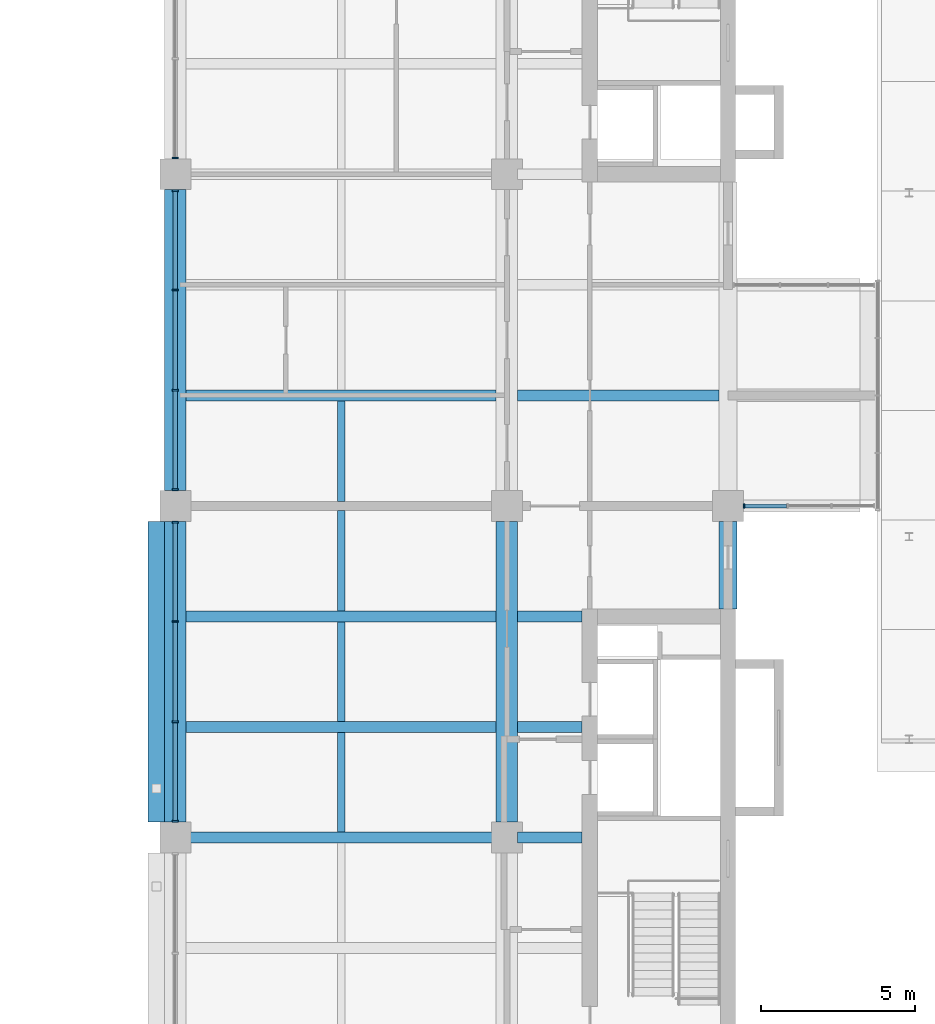
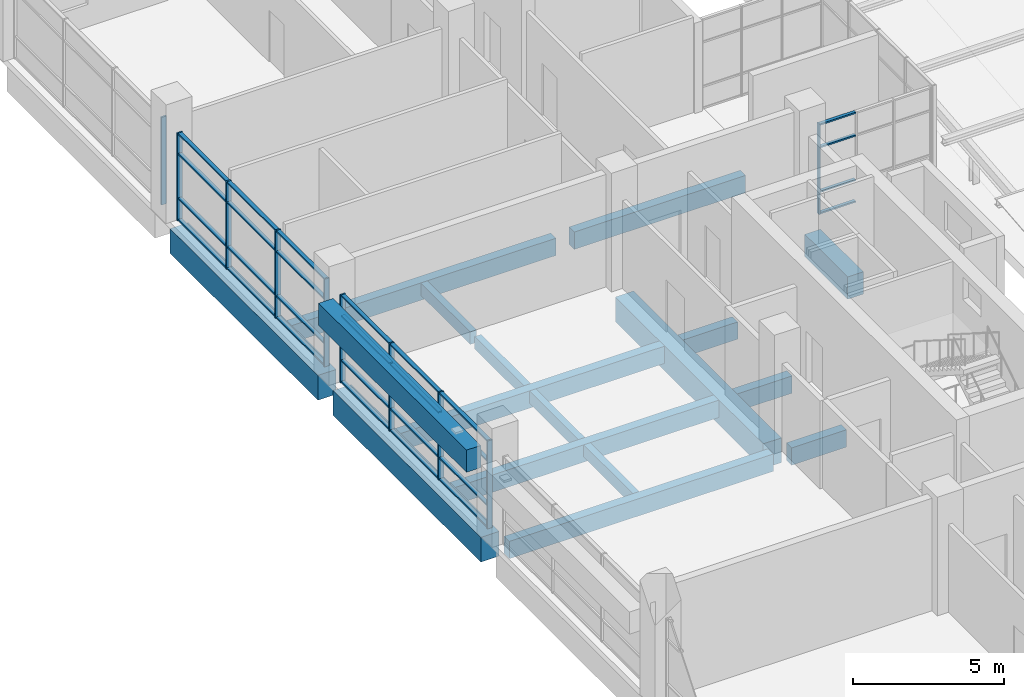
# One storey, part 11 of 44: 38 members, 17 beams, 4 elements without a shape of their own.
"""IFC4 building model written with IfcOpenShell, lengths in metres."""

import ifcopenshell
import ifcopenshell.guid

model = None  # the IFC model being written
_history = None  # IfcOwnerHistory: only IFC2X3 demands one
_inside = {}  # id of a spatial element -> (the spatial element, [elements in it])
_under = {}  # id of a project, library or spatial element -> (it, [spatial elements below it])
_declared = {}  # id of a project -> (the project, [libraries it declares])
_typed = {}  # id of a type object -> (the type object, [elements of that type])
_made_of = {}  # id of a material, layer set ... -> (it, [elements and type objects made of it])


def new_model(schema):
    """Start an empty IFC model of exactly this schema.

    Asked for "IFC4X3", IfcOpenShell would pick the latest addendum, in which some entities
    have other attributes; the version numbers below select the first issue.
    IFC2X3 requires an IfcOwnerHistory on every rooted entity: one is made here for all.
    """
    global model, _history
    if schema == "IFC4X3":
        model = ifcopenshell.file(schema_version=(4, 3, 0, 0))
    else:
        model = ifcopenshell.file(schema=schema)
    _inside.clear()
    _under.clear()
    _declared.clear()
    _typed.clear()
    _made_of.clear()
    _history = None
    if model.schema == "IFC2X3":
        org = make("IfcOrganization", Name="unknown")
        user = make(
            "IfcPersonAndOrganization",
            ThePerson=make("IfcPerson", FamilyName="unknown"),
            TheOrganization=org,
        )
        app = make(
            "IfcApplication",
            ApplicationDeveloper=org,
            Version="unknown",
            ApplicationFullName="unknown",
            ApplicationIdentifier="unknown",
        )
        _history = make(
            "IfcOwnerHistory",
            OwningUser=user,
            OwningApplication=app,
            ChangeAction="ADDED",
            CreationDate=0,
        )
    return model


def make(cls, **values):
    """One entity of the class cls with the attributes given. An attribute that is None is left unset."""
    return model.create_entity(
        cls, **{name: value for name, value in values.items() if value is not None}
    )


def rooted(cls, **values):
    """An entity with a GlobalId (a new one), such as an element, a storey or a relation."""
    return make(cls, GlobalId=ifcopenshell.guid.new(), OwnerHistory=_history, **values)


def si_unit(unit_type, name, prefix=None):
    """IfcSIUnit, for example si_unit("LENGTHUNIT", "METRE", prefix="MILLI")."""
    return make("IfcSIUnit", UnitType=unit_type, Prefix=prefix, Name=name)


def assignment(units):
    """IfcUnitAssignment: the units of a project."""
    return None if units is None else make("IfcUnitAssignment", Units=units)


def point(xyz):
    """IfcCartesianPoint."""
    return None if xyz is None else make("IfcCartesianPoint", Coordinates=xyz)


def direction(xyz):
    """IfcDirection."""
    return None if xyz is None else make("IfcDirection", DirectionRatios=xyz)


def frame(location, z_axis=None, x_axis=None):
    """IfcAxis2Placement3D, a coordinate frame: its origin and axes. An axis left out is left unset."""
    return make(
        "IfcAxis2Placement3D",
        Location=point(location),
        Axis=direction(z_axis),
        RefDirection=direction(x_axis),
    )


def frame_2d(location, x_axis=None):
    """IfcAxis2Placement2D, a coordinate frame in the plane: its origin and x axis."""
    return make(
        "IfcAxis2Placement2D", Location=point(location), RefDirection=direction(x_axis)
    )


def origin():
    """The frame at (0, 0, 0) with its axes left unset."""
    return frame((0.0, 0.0, 0.0))


def origin_2d():
    """The frame at (0, 0) in the plane with its x axis left unset."""
    return frame_2d((0.0, 0.0))


def place(relative_to, where):
    """IfcLocalPlacement: puts the frame where relative to a parent placement (None: the world)."""
    return make(
        "IfcLocalPlacement", PlacementRelTo=relative_to, RelativePlacement=where
    )


def context(
    kind, dimensions, precision=None, world=None, true_north=None, identifier=None
):
    """IfcGeometricRepresentationContext, for example the 3D "Model" context."""
    return make(
        "IfcGeometricRepresentationContext",
        ContextIdentifier=identifier,
        ContextType=kind,
        CoordinateSpaceDimension=dimensions,
        Precision=precision,
        WorldCoordinateSystem=world,
        TrueNorth=true_north,
    )


def subcontext(parent, identifier, kind, view, scale=None):
    """IfcGeometricRepresentationSubContext, for example "Body" below "Model"."""
    return make(
        "IfcGeometricRepresentationSubContext",
        ContextIdentifier=identifier,
        ContextType=kind,
        ParentContext=parent,
        TargetScale=scale,
        TargetView=view,
    )


def project(units=None, contexts=None):
    """IfcProject with its units and contexts."""
    return rooted(
        "IfcProject",
        Name="project",
        RepresentationContexts=contexts,
        UnitsInContext=assignment(units),
    )


def spatial(cls, under=None, at=None, **own):
    """A site, building, storey or space (cls), placed at a placement, below another one or the project."""
    s = rooted(cls, ObjectPlacement=at, **own)
    if under is not None:
        _under.setdefault(under.id(), (under, []))[1].append(s)
    return s


def profile(cls, at=None, kind="AREA", **sizes):
    """A parametric profile (cls). Its sizes go by their IFC names, for example OverallWidth=200.0."""
    return make(cls, ProfileType=kind, Position=at, **sizes)


def rectangle(**sizes):
    """IfcRectangleProfileDef."""
    return profile("IfcRectangleProfileDef", **sizes)


def extrude(swept, where, along, depth):
    """IfcExtrudedAreaSolid: the profile swept, set in the frame where, extruded along a direction by depth."""
    return make(
        "IfcExtrudedAreaSolid",
        SweptArea=swept,
        Position=where,
        ExtrudedDirection=direction(along),
        Depth=depth,
    )


def shape(context_of_items, identifier, shape_type, items):
    """IfcShapeRepresentation: the items that make up one representation, for example the "Body"."""
    return make(
        "IfcShapeRepresentation",
        ContextOfItems=context_of_items,
        RepresentationIdentifier=identifier,
        RepresentationType=shape_type,
        Items=items,
    )


def material(Name=None, Category=None):
    """IfcMaterial."""
    return make("IfcMaterial", Name=Name, Category=Category)


def layer(
    of_material, thickness, ventilated=None, Name=None, Category=None, Priority=None
):
    """IfcMaterialLayer: one layer of a wall or slab, of a material (None: an air gap)."""
    return make(
        "IfcMaterialLayer",
        Material=of_material,
        LayerThickness=thickness,
        IsVentilated=ventilated,
        Name=Name,
        Category=Category,
        Priority=Priority,
    )


def layer_set(layers, Name=None):
    """IfcMaterialLayerSet."""
    return make("IfcMaterialLayerSet", MaterialLayers=layers, LayerSetName=Name)


def material_profile(
    of_material, cross_section, Name=None, Category=None, Priority=None
):
    """IfcMaterialProfile: a cross section and its material."""
    return make(
        "IfcMaterialProfile",
        Name=Name,
        Material=of_material,
        Profile=cross_section,
        Priority=Priority,
        Category=Category,
    )


def profile_set(profiles, Name=None, composite=None):
    """IfcMaterialProfileSet."""
    return make(
        "IfcMaterialProfileSet",
        Name=Name,
        MaterialProfiles=profiles,
        CompositeProfile=composite,
    )


def made_of(thing, what):
    """Note that an element or type object is made of a material, layer set ...; save() writes the relation."""
    if what is not None:
        _made_of.setdefault(what.id(), (what, []))[1].append(thing)
    return thing


def type_object(cls, material=None, **own):
    """A type object (cls), such as IfcWallType, which elements share."""
    return made_of(rooted(cls, **own), material)


def element(
    cls,
    number,
    at=None,
    inside=None,
    cuts=None,
    type_object=None,
    material=None,
    context=None,
    identifier="Body",
    shape_type=None,
    held_by="IfcProductDefinitionShape",
    body=None,
    shapes=None,
    **own,
):
    """One element of the class cls, such as IfcWall. Its Tag is "e" and its number.

    at: its placement. inside: the storey or other place that contains it. cuts: it is an
    opening in that element (IfcRelVoidsElement). A single representation is given by context,
    identifier, shape_type and body (its items); several are given by shapes. held_by: the class
    of the entity that holds the representations. save() writes the other relations.
    """
    e = rooted(cls, Tag="e%d" % number, ObjectPlacement=at, **own)
    if body is not None:
        shapes = [shape(context, identifier, shape_type, body)]
    if shapes is not None:
        e.Representation = make(held_by, Representations=shapes)
    if inside is not None:
        _inside.setdefault(inside.id(), (inside, []))[1].append(e)
    if cuts is not None:
        rooted(
            "IfcRelVoidsElement", RelatingBuildingElement=cuts, RelatedOpeningElement=e
        )
    if type_object is not None:
        _typed.setdefault(type_object.id(), (type_object, []))[1].append(e)
    return made_of(e, material)


def aggregate(whole, parts):
    """IfcRelAggregates: a whole, such as a stair, and the parts it consists of."""
    return rooted("IfcRelAggregates", RelatingObject=whole, RelatedObjects=parts)


def save(model, path):
    """Write the relations noted so far, then the file.

    IfcRelAggregates (storeys below a building ...), IfcRelContainedInSpatialStructure (elements
    in a storey), IfcRelDefinesByType, IfcRelAssociatesMaterial and IfcRelDeclares: one each for
    every whole, place, type object, material and project.
    """
    for whole, parts in _under.values():
        aggregate(whole, parts)
    for where, things in _inside.values():
        rooted(
            "IfcRelContainedInSpatialStructure",
            RelatedElements=things,
            RelatingStructure=where,
        )
    for kind, things in _typed.values():
        rooted("IfcRelDefinesByType", RelatedObjects=things, RelatingType=kind)
    for what, things in _made_of.values():
        rooted("IfcRelAssociatesMaterial", RelatedObjects=things, RelatingMaterial=what)
    for by, libraries in _declared.values():
        rooted("IfcRelDeclares", RelatingContext=by, RelatedDefinitions=libraries)
    model.write(path)


model = new_model("IFC4")

# Units and contexts
model_context = context("Model", 3, precision=1e-05, world=origin(), true_north=direction((0.0, 1.0)))
body_context = subcontext(model_context, "Body", "Model", "MODEL_VIEW")
ifc_project = project(units=[si_unit("LENGTHUNIT", "METRE"), si_unit("AREAUNIT", "SQUARE_METRE"), si_unit("VOLUMEUNIT", "CUBIC_METRE"), si_unit("PLANEANGLEUNIT", "RADIAN"), si_unit("MASSUNIT", "GRAM", prefix="KILO")], contexts=[model_context])

# Site, building, storey
site_placement = place(None, origin())
site = spatial("IfcSite", under=ifc_project, at=site_placement, CompositionType="ELEMENT")
building_placement = place(site_placement, origin())
building = spatial("IfcBuilding", under=site, at=building_placement, Name="Basin Gate Institute", CompositionType="ELEMENT")
storey_placement = place(building_placement, frame((0.0, 0.0, 27.0)))
storey = spatial("IfcBuildingStorey", under=building, at=storey_placement, Name="L05", CompositionType="ELEMENT", Elevation=27.0)

# Beams
ifc_material_1 = material(Name="Concrete 40 MPa", Category="concrete")
ifc_material_profile_1 = material_profile(ifc_material_1, rectangle(XDim=0.35009765625, YDim=0.699951171875, at=origin_2d()), Name="Beam B1 350 x 700")
ifc_profile_set_1 = profile_set([ifc_material_profile_1], Name="Concrete 40 MPa")
beam_type_1 = type_object("IfcBeamType", Name="Beam B1 R120", PredefinedType="BEAM", material=ifc_profile_set_1)
beam_1_placement = place(storey_placement, frame((111.25, 67.5, -0.60009765625), z_axis=(-1.0, 0.0, 0.0), x_axis=(0.0, -1.0, 0.0)))
element("IfcBeam", 1, at=beam_1_placement, inside=storey, type_object=beam_type_1, material=ifc_profile_set_1, Name="BEAM/L05/E/EW/10", PredefinedType="BEAM", context=body_context, shape_type="SweptSolid", body=[
    extrude(rectangle(XDim=0.35009765625, YDim=0.699951171875, at=origin_2d()), origin(), (0.0, 0.0, 1.0), 10.10009765625),
])
beam_2_placement = place(storey_placement, frame((114.050048828125, 67.5, -0.60009765625), z_axis=(-1.0, 0.0, 0.0), x_axis=(0.0, -1.0, 0.0)))
element("IfcBeam", 2, at=beam_2_placement, inside=storey, type_object=beam_type_1, material=ifc_profile_set_1, Name="BEAM/L05/E/CORR/10", PredefinedType="BEAM", context=body_context, shape_type="SweptSolid", body=[
    extrude(rectangle(XDim=0.35009765625, YDim=0.699951171875, at=origin_2d()), origin(), (0.0, 0.0, 1.0), 2.10009765625),
])
beam_3_placement = place(storey_placement, frame((111.25, 71.10009765625, -0.60009765625), z_axis=(-1.0, 0.0, 0.0), x_axis=(0.0, -1.0, 0.0)))
element("IfcBeam", 3, at=beam_3_placement, inside=storey, type_object=beam_type_1, material=ifc_profile_set_1, Name="BEAM/L05/E/EW/11", PredefinedType="BEAM", context=body_context, shape_type="SweptSolid", body=[
    extrude(rectangle(XDim=0.35009765625, YDim=0.699951171875, at=origin_2d()), origin(), (0.0, 0.0, 1.0), 10.10009765625),
])
beam_4_placement = place(storey_placement, frame((114.050048828125, 71.10009765625, -0.60009765625), z_axis=(-1.0, 0.0, 0.0), x_axis=(0.0, -1.0, 0.0)))
element("IfcBeam", 4, at=beam_4_placement, inside=storey, type_object=beam_type_1, material=ifc_profile_set_1, Name="BEAM/L05/E/CORR/11", PredefinedType="BEAM", context=body_context, shape_type="SweptSolid", body=[
    extrude(rectangle(XDim=0.35009765625, YDim=0.699951171875, at=origin_2d()), origin(), (0.0, 0.0, 1.0), 2.10009765625),
])
beam_5_placement = place(storey_placement, frame((111.25, 74.699951171875, -0.60009765625), z_axis=(-1.0, 0.0, 0.0), x_axis=(0.0, -1.0, 0.0)))
element("IfcBeam", 5, at=beam_5_placement, inside=storey, type_object=beam_type_1, material=ifc_profile_set_1, Name="BEAM/L05/E/EW/12", PredefinedType="BEAM", context=body_context, shape_type="SweptSolid", body=[
    extrude(rectangle(XDim=0.35009765625, YDim=0.699951171875, at=origin_2d()), origin(), (0.0, 0.0, 1.0), 10.10009765625),
])
beam_6_placement = place(storey_placement, frame((114.050048828125, 74.699951171875, -0.60009765625), z_axis=(-1.0, 0.0, 0.0), x_axis=(0.0, -1.0, 0.0)))
element("IfcBeam", 6, at=beam_6_placement, inside=storey, type_object=beam_type_1, material=ifc_profile_set_1, Name="BEAM/L05/E/CORR/12", PredefinedType="BEAM", context=body_context, shape_type="SweptSolid", body=[
    extrude(rectangle(XDim=0.35009765625, YDim=0.699951171875, at=origin_2d()), origin(), (0.0, 0.0, 1.0), 2.10009765625),
])
beam_7_placement = place(storey_placement, frame((111.25, 81.89990234375, -0.60009765625), z_axis=(-1.0, 0.0, 0.0), x_axis=(0.0, -1.0, 0.0)))
element("IfcBeam", 7, at=beam_7_placement, inside=storey, type_object=beam_type_1, material=ifc_profile_set_1, Name="BEAM/L05/E/EW/14", PredefinedType="BEAM", context=body_context, shape_type="SweptSolid", body=[
    extrude(rectangle(XDim=0.35009765625, YDim=0.699951171875, at=origin_2d()), origin(), (0.0, 0.0, 1.0), 10.10009765625),
])
beam_8_placement = place(storey_placement, frame((118.5, 81.89990234375, -0.60009765625), z_axis=(-1.0, 0.0, 0.0), x_axis=(0.0, -1.0, 0.0)))
element("IfcBeam", 8, at=beam_8_placement, inside=storey, type_object=beam_type_1, material=ifc_profile_set_1, Name="BEAM/L05/E/OUT/14", PredefinedType="BEAM", context=body_context, shape_type="SweptSolid", body=[
    extrude(rectangle(XDim=0.35009765625, YDim=0.699951171875, at=origin_2d()), origin(), (0.0, 0.0, 1.0), 6.550048828125),
])
ifc_material_2 = material(Name="Concrete 50 MPa", Category="concrete")
ifc_material_profile_2 = material_profile(ifc_material_2, rectangle(XDim=0.550048828125, YDim=0.89990234375, at=origin_2d()), Name="Bridge bearing B5 550 x 900")
ifc_profile_set_2 = profile_set([ifc_material_profile_2], Name="Concrete 50 MPa")
beam_type_2 = type_object("IfcBeamType", Name="Bridge bearing B5 R120", PredefinedType="BEAM", material=ifc_profile_set_2)
beam_9_placement = place(storey_placement, frame((100.175048828125, 68.0, 3.02197265625), z_axis=(0.0, 1.0, 0.0), x_axis=(-1.0, 0.0, 0.0)))
element("IfcBeam", 9, at=beam_9_placement, inside=storey, type_object=beam_type_2, material=ifc_profile_set_2, Name="Bridge bearing R120 L06 E2", PredefinedType="BEAM", context=body_context, shape_type="SweptSolid", body=[
    extrude(rectangle(XDim=0.550048828125, YDim=0.89990234375, at=origin_2d()), origin(), (0.0, 0.0, 1.0), 9.800048828125),
])
ifc_material_3 = material(Name="Concrete 50 MPa", Category="concrete")
ifc_material_profile_3 = material_profile(ifc_material_3, rectangle(XDim=0.60009765625, YDim=0.89990234375, at=origin_2d()), Name="Edge return beam EB3 600 x 900")
ifc_profile_set_3 = profile_set([ifc_material_profile_3], Name="Concrete 50 MPa")
beam_type_3 = type_object("IfcBeamType", Name="Edge return beam EB3 R120", PredefinedType="SPANDREL", material=ifc_profile_set_3)
beam_10_placement = place(storey_placement, frame((118.800048828125, 74.949951171875, -0.699951171875), z_axis=(0.0, 1.0, 0.0), x_axis=(-1.0, 0.0, 0.0)))
element("IfcBeam", 10, at=beam_10_placement, inside=storey, type_object=beam_type_3, material=ifc_profile_set_3, Name="BEAM/L05/E/EDGE/3", PredefinedType="SPANDREL", context=body_context, shape_type="SweptSolid", body=[
    extrude(rectangle(XDim=0.60009765625, YDim=0.89990234375, at=origin_2d()), origin(), (0.0, 0.0, 1.0), 2.85009765625),
])
ifc_material_4 = material(Name="Concrete 50 MPa", Category="concrete")
ifc_material_profile_4 = material_profile(ifc_material_4, rectangle(XDim=0.699951171875, YDim=1.0, at=origin_2d()), Name="Girder G1 700 x 1000")
ifc_profile_set_4 = profile_set([ifc_material_profile_4], Name="Concrete 50 MPa")
beam_type_4 = type_object("IfcBeamType", Name="Girder G1 R120", PredefinedType="BEAM", material=ifc_profile_set_4)
for number, where, z_axis, x_axis, name in (
    (11, (111.60009765625, 68.0, -0.75), (0.0, 1.0, 0.0), (-1.0, 0.0, 0.0), "GIR/L05/E8/4"),
    (12, (100.800048828125, 68.0, -0.75), (0.0, 1.0, 0.0), (-1.0, 0.0, 0.0), "GIR/L05/E7/4"),
    (13, (100.800048828125, 78.800048828125, -0.75), (0.0, 1.0, 0.0), (-1.0, 0.0, 0.0), "GIR/L05/E7/5"),
):
    element("IfcBeam", number, at=place(storey_placement, frame(where, z_axis=z_axis, x_axis=x_axis)), inside=storey, type_object=beam_type_4, material=ifc_profile_set_4, Name=name, PredefinedType="BEAM", context=body_context, shape_type="SweptSolid", body=[
        extrude(rectangle(XDim=0.699951171875, YDim=1.0, at=origin_2d()), origin(), (0.0, 0.0, 1.0), 9.800048828125),
    ])

# Curtain wall, member
ifc_material_5 = material(Name="Aluminium-framed glazing", Category="aluminium")
ifc_layer_1 = layer(ifc_material_5, 0.14990234375)
ifc_layer_set_1 = layer_set([ifc_layer_1], Name="Capsule front curtain wall CW1")
curtain_wall_type_1 = type_object("IfcCurtainWallType", Name="Capsule front curtain wall CW1", PredefinedType="NOTDEFINED", material=ifc_layer_set_1)
curtain_wall_1_placement = place(storey_placement, origin())
curtain_wall_1 = element("IfcCurtainWall", 14, at=curtain_wall_1_placement, inside=storey, type_object=curtain_wall_type_1, material=ifc_layer_set_1, Name="Capsule front curtain wall E wing capsule end L05 line 13", PredefinedType="NOTDEFINED")
ifc_material_6 = material(Name="Aluminium", Category="aluminium")
ifc_material_profile_5 = material_profile(ifc_material_6, rectangle(XDim=0.14990234375, YDim=0.050048828125, at=origin_2d()), Name="Mullion MU1 150 x 50")
ifc_profile_set_5 = profile_set([ifc_material_profile_5], Name="Aluminium")
member_type_1 = type_object("IfcMemberType", Name="Mullion MU1", PredefinedType="MULLION", material=ifc_profile_set_5)
member_1_placement = place(storey_placement, frame((119.324951171875, 78.300048828125, 0.0), z_axis=(0.0, 0.0, 1.0), x_axis=(0.0, -1.0, 0.0)))
member_1 = element("IfcMember", 15, at=member_1_placement, type_object=member_type_1, material=ifc_profile_set_5, Name="CW1 mullion 4", PredefinedType="MULLION", context=body_context, shape_type="SweptSolid", body=[
    extrude(rectangle(XDim=0.14990234375, YDim=0.050048828125, at=origin_2d()), origin(), (0.0, 0.0, 1.0), 3.64990234375),
])

# Curtain wall, members
ifc_material_7 = material(Name="Aluminium-framed glazing", Category="aluminium")
ifc_layer_2 = layer(ifc_material_7, 0.199951171875)
ifc_layer_set_2 = layer_set([ifc_layer_2], Name="Atrium curtain wall CW2")
curtain_wall_type_2 = type_object("IfcCurtainWallType", Name="Atrium curtain wall CW2", PredefinedType="NOTDEFINED", material=ifc_layer_set_2)
curtain_wall_2_placement = place(storey_placement, origin())
curtain_wall_2 = element("IfcCurtainWall", 16, at=curtain_wall_2_placement, inside=storey, type_object=curtain_wall_type_2, material=ifc_layer_set_2, Name="Atrium curtain wall E wing atrium bay 4 L05", PredefinedType="NOTDEFINED")
ifc_material_8 = material(Name="Aluminium", Category="aluminium")
ifc_material_profile_6 = material_profile(ifc_material_8, rectangle(XDim=0.199951171875, YDim=0.06005859375, at=origin_2d()), Name="Mullion MU2 200 x 60")
ifc_profile_set_6 = profile_set([ifc_material_profile_6], Name="Aluminium")
member_type_2 = type_object("IfcMemberType", Name="Mullion MU2", PredefinedType="MULLION", material=ifc_profile_set_6)
member_2_placement = place(storey_placement, frame((100.800048828125, 68.030029296875, 0.0), z_axis=(0.0, 0.0, 1.0), x_axis=(-1.0, 0.0, 0.0)))
member_2 = element("IfcMember", 17, at=member_2_placement, type_object=member_type_2, material=ifc_profile_set_6, Name="CW2 mullion 1", PredefinedType="MULLION", context=body_context, shape_type="SweptSolid", body=[
    extrude(rectangle(XDim=0.199951171875, YDim=0.06005859375, at=origin_2d()), origin(), (0.0, 0.0, 1.0), 3.550048828125),
])
member_3_placement = place(storey_placement, frame((100.800048828125, 71.2666015625, 0.0), z_axis=(0.0, 0.0, 1.0), x_axis=(-1.0, 0.0, 0.0)))
member_3 = element("IfcMember", 18, at=member_3_placement, type_object=member_type_2, material=ifc_profile_set_6, Name="CW2 mullion 2", PredefinedType="MULLION", context=body_context, shape_type="SweptSolid", body=[
    extrude(rectangle(XDim=0.199951171875, YDim=0.06005859375, at=origin_2d()), origin(), (0.0, 0.0, 1.0), 3.550048828125),
])
member_4_placement = place(storey_placement, frame((100.800048828125, 74.533447265625, 0.0), z_axis=(0.0, 0.0, 1.0), x_axis=(-1.0, 0.0, 0.0)))
member_4 = element("IfcMember", 19, at=member_4_placement, type_object=member_type_2, material=ifc_profile_set_6, Name="CW2 mullion 3", PredefinedType="MULLION", context=body_context, shape_type="SweptSolid", body=[
    extrude(rectangle(XDim=0.199951171875, YDim=0.06005859375, at=origin_2d()), origin(), (0.0, 0.0, 1.0), 3.550048828125),
])
member_5_placement = place(storey_placement, frame((100.800048828125, 77.77001953125, 0.0), z_axis=(0.0, 0.0, 1.0), x_axis=(-1.0, 0.0, 0.0)))
member_5 = element("IfcMember", 20, at=member_5_placement, type_object=member_type_2, material=ifc_profile_set_6, Name="CW2 mullion 4", PredefinedType="MULLION", context=body_context, shape_type="SweptSolid", body=[
    extrude(rectangle(XDim=0.199951171875, YDim=0.06005859375, at=origin_2d()), origin(), (0.0, 0.0, 1.0), 3.550048828125),
])

curtain_wall_3_placement = place(storey_placement, origin())
curtain_wall_3 = element("IfcCurtainWall", 21, at=curtain_wall_3_placement, inside=storey, type_object=curtain_wall_type_2, material=ifc_layer_set_2, Name="Atrium curtain wall E wing atrium bay 5 L05", PredefinedType="NOTDEFINED")
member_6_placement = place(storey_placement, frame((100.800048828125, 78.830078125, 0.0), z_axis=(0.0, 0.0, 1.0), x_axis=(-1.0, 0.0, 0.0)))
member_6 = element("IfcMember", 22, at=member_6_placement, type_object=member_type_2, material=ifc_profile_set_6, Name="CW2 mullion 1", PredefinedType="MULLION", context=body_context, shape_type="SweptSolid", body=[
    extrude(rectangle(XDim=0.199951171875, YDim=0.06005859375, at=origin_2d()), origin(), (0.0, 0.0, 1.0), 3.550048828125),
])
member_7_placement = place(storey_placement, frame((100.800048828125, 82.066650390625, 0.0), z_axis=(0.0, 0.0, 1.0), x_axis=(-1.0, 0.0, 0.0)))
member_7 = element("IfcMember", 23, at=member_7_placement, type_object=member_type_2, material=ifc_profile_set_6, Name="CW2 mullion 2", PredefinedType="MULLION", context=body_context, shape_type="SweptSolid", body=[
    extrude(rectangle(XDim=0.199951171875, YDim=0.06005859375, at=origin_2d()), origin(), (0.0, 0.0, 1.0), 3.550048828125),
])
member_8_placement = place(storey_placement, frame((100.800048828125, 85.333251953125, 0.0), z_axis=(0.0, 0.0, 1.0), x_axis=(-1.0, 0.0, 0.0)))
member_8 = element("IfcMember", 24, at=member_8_placement, type_object=member_type_2, material=ifc_profile_set_6, Name="CW2 mullion 3", PredefinedType="MULLION", context=body_context, shape_type="SweptSolid", body=[
    extrude(rectangle(XDim=0.199951171875, YDim=0.06005859375, at=origin_2d()), origin(), (0.0, 0.0, 1.0), 3.550048828125),
])
member_9_placement = place(storey_placement, frame((100.800048828125, 88.570068359375, 0.0), z_axis=(0.0, 0.0, 1.0), x_axis=(-1.0, 0.0, 0.0)))
member_9 = element("IfcMember", 25, at=member_9_placement, type_object=member_type_2, material=ifc_profile_set_6, Name="CW2 mullion 4", PredefinedType="MULLION", context=body_context, shape_type="SweptSolid", body=[
    extrude(rectangle(XDim=0.199951171875, YDim=0.06005859375, at=origin_2d()), origin(), (0.0, 0.0, 1.0), 3.550048828125),
])

# Curtain wall, member
curtain_wall_4_placement = place(storey_placement, origin())
curtain_wall_4 = element("IfcCurtainWall", 26, at=curtain_wall_4_placement, inside=storey, type_object=curtain_wall_type_2, material=ifc_layer_set_2, Name="Atrium curtain wall E wing atrium bay 6 L05", PredefinedType="NOTDEFINED")
member_10_placement = place(storey_placement, frame((100.800048828125, 89.6298828125, 0.0), z_axis=(0.0, 0.0, 1.0), x_axis=(-1.0, 0.0, 0.0)))
member_10 = element("IfcMember", 27, at=member_10_placement, type_object=member_type_2, material=ifc_profile_set_6, Name="CW2 mullion 1", PredefinedType="MULLION", context=body_context, shape_type="SweptSolid", body=[
    extrude(rectangle(XDim=0.199951171875, YDim=0.06005859375, at=origin_2d()), origin(), (0.0, 0.0, 1.0), 3.550048828125),
])
aggregate(curtain_wall_4, [member_10])

# Beams
ifc_material_9 = material(Name="Concrete 40 MPa", Category="concrete")
ifc_material_profile_7 = material_profile(ifc_material_9, rectangle(XDim=0.25, YDim=0.5, at=origin_2d()), Name="Rib R1 250 x 500")
ifc_profile_set_7 = profile_set([ifc_material_profile_7], Name="Concrete 40 MPa")
beam_type_5 = type_object("IfcBeamType", Name="Rib R1 R120", PredefinedType="JOIST", material=ifc_profile_set_7)
for number, where, z_axis, x_axis, name in (
    (28, (106.199951171875, 67.675048828125, -0.5), (0.0, 1.0, 0.0), (-1.0, 0.0, 0.0), "BEAM/L05/E/RIB/10"),
    (29, (106.199951171875, 71.27490234375, -0.5), (0.0, 1.0, 0.0), (-1.0, 0.0, 0.0), "BEAM/L05/E/RIB/11"),
):
    element("IfcBeam", number, at=place(storey_placement, frame(where, z_axis=z_axis, x_axis=x_axis)), inside=storey, type_object=beam_type_5, material=ifc_profile_set_7, Name=name, PredefinedType="JOIST", context=body_context, shape_type="SweptSolid", body=[
        extrude(rectangle(XDim=0.25, YDim=0.5, at=origin_2d()), origin(), (0.0, 0.0, 1.0), 3.25),
    ])
beam_11_placement = place(storey_placement, frame((106.199951171875, 74.875, -0.5), z_axis=(0.0, 1.0, 0.0), x_axis=(-1.0, 0.0, 0.0)))
element("IfcBeam", 30, at=beam_11_placement, inside=storey, type_object=beam_type_5, material=ifc_profile_set_7, Name="BEAM/L05/E/RIB/12", PredefinedType="JOIST", context=body_context, shape_type="SweptSolid", body=[
    extrude(rectangle(XDim=0.25, YDim=0.5, at=origin_2d()), origin(), (0.0, 0.0, 1.0), 3.27490234375),
])
beam_12_placement = place(storey_placement, frame((106.199951171875, 78.449951171875, -0.5), z_axis=(0.0, 1.0, 0.0), x_axis=(-1.0, 0.0, 0.0)))
element("IfcBeam", 31, at=beam_12_placement, inside=storey, type_object=beam_type_5, material=ifc_profile_set_7, Name="BEAM/L05/E/RIB/13", PredefinedType="JOIST", context=body_context, shape_type="SweptSolid", body=[
    extrude(rectangle(XDim=0.25, YDim=0.5, at=origin_2d()), origin(), (0.0, 0.0, 1.0), 3.275146484375),
])

# Member
ifc_material_10 = material(Name="Aluminium", Category="aluminium")
ifc_material_profile_8 = material_profile(ifc_material_10, rectangle(XDim=0.1201171875, YDim=0.06005859375, at=origin_2d()), Name="Transom TR1 120 x 60")
ifc_profile_set_8 = profile_set([ifc_material_profile_8], Name="Aluminium")
member_type_3 = type_object("IfcMemberType", Name="Transom TR1", PredefinedType="USERDEFINED", material=ifc_profile_set_8)
member_11_placement = place(storey_placement, frame((120.708251953125, 78.300048828125, 0.030029296875), z_axis=(-1.0, 0.0, 0.0), x_axis=(0.0, -1.0, 0.0)))
member_11 = element("IfcMember", 32, at=member_11_placement, type_object=member_type_3, material=ifc_profile_set_8, Name="CW1 transom 3.1", ObjectType="TRANSOM", PredefinedType="USERDEFINED", context=body_context, shape_type="SweptSolid", body=[
    extrude(rectangle(XDim=0.1201171875, YDim=0.06005859375, at=origin_2d()), origin(), (0.0, 0.0, 1.0), 1.358154296875),
])

member_12_placement = place(storey_placement, frame((120.708251953125, 78.300048828125, 0.89990234375), z_axis=(-1.0, 0.0, 0.0), x_axis=(0.0, -1.0, 0.0)))
member_12 = element("IfcMember", 33, at=member_12_placement, type_object=member_type_3, material=ifc_profile_set_8, Name="CW1 transom 3.2", ObjectType="TRANSOM", PredefinedType="USERDEFINED", context=body_context, shape_type="SweptSolid", body=[
    extrude(rectangle(XDim=0.1201171875, YDim=0.06005859375, at=origin_2d()), origin(), (0.0, 0.0, 1.0), 1.358154296875),
])

member_13_placement = place(storey_placement, frame((120.708251953125, 78.300048828125, 2.699951171875), z_axis=(-1.0, 0.0, 0.0), x_axis=(0.0, -1.0, 0.0)))
member_13 = element("IfcMember", 34, at=member_13_placement, type_object=member_type_3, material=ifc_profile_set_8, Name="CW1 transom 3.3", ObjectType="TRANSOM", PredefinedType="USERDEFINED", context=body_context, shape_type="SweptSolid", body=[
    extrude(rectangle(XDim=0.1201171875, YDim=0.06005859375, at=origin_2d()), origin(), (0.0, 0.0, 1.0), 1.358154296875),
])

member_14_placement = place(storey_placement, frame((120.708251953125, 78.300048828125, 3.6201171875), z_axis=(-1.0, 0.0, 0.0), x_axis=(0.0, -1.0, 0.0)))
member_14 = element("IfcMember", 35, at=member_14_placement, type_object=member_type_3, material=ifc_profile_set_8, Name="CW1 transom 3.4", ObjectType="TRANSOM", PredefinedType="USERDEFINED", context=body_context, shape_type="SweptSolid", body=[
    extrude(rectangle(XDim=0.1201171875, YDim=0.06005859375, at=origin_2d()), origin(), (0.0, 0.0, 1.0), 1.358154296875),
])

aggregate(curtain_wall_1, [member_1, member_11, member_12, member_13, member_14])

ifc_material_11 = material(Name="Aluminium", Category="aluminium")
ifc_material_profile_9 = material_profile(ifc_material_11, rectangle(XDim=0.14990234375, YDim=0.06005859375, at=origin_2d()), Name="Transom TR2 150 x 60")
ifc_profile_set_9 = profile_set([ifc_material_profile_9], Name="Aluminium")
member_type_4 = type_object("IfcMemberType", Name="Transom TR2", PredefinedType="USERDEFINED", material=ifc_profile_set_9)
member_15_placement = place(storey_placement, frame((100.800048828125, 68.06005859375, 0.030029296875), z_axis=(0.0, 1.0, 0.0), x_axis=(-1.0, 0.0, 0.0)))
member_15 = element("IfcMember", 36, at=member_15_placement, type_object=member_type_4, material=ifc_profile_set_9, Name="CW2 transom 1.1", ObjectType="TRANSOM", PredefinedType="USERDEFINED", context=body_context, shape_type="SweptSolid", body=[
    extrude(rectangle(XDim=0.14990234375, YDim=0.06005859375, at=origin_2d()), origin(), (0.0, 0.0, 1.0), 3.176513671875),
])

member_16_placement = place(storey_placement, frame((100.800048828125, 68.06005859375, 0.89990234375), z_axis=(0.0, 1.0, 0.0), x_axis=(-1.0, 0.0, 0.0)))
member_16 = element("IfcMember", 37, at=member_16_placement, type_object=member_type_4, material=ifc_profile_set_9, Name="CW2 transom 1.2", ObjectType="TRANSOM", PredefinedType="USERDEFINED", context=body_context, shape_type="SweptSolid", body=[
    extrude(rectangle(XDim=0.14990234375, YDim=0.06005859375, at=origin_2d()), origin(), (0.0, 0.0, 1.0), 3.176513671875),
])

member_17_placement = place(storey_placement, frame((100.800048828125, 68.06005859375, 2.699951171875), z_axis=(0.0, 1.0, 0.0), x_axis=(-1.0, 0.0, 0.0)))
member_17 = element("IfcMember", 38, at=member_17_placement, type_object=member_type_4, material=ifc_profile_set_9, Name="CW2 transom 1.3", ObjectType="TRANSOM", PredefinedType="USERDEFINED", context=body_context, shape_type="SweptSolid", body=[
    extrude(rectangle(XDim=0.14990234375, YDim=0.06005859375, at=origin_2d()), origin(), (0.0, 0.0, 1.0), 3.176513671875),
])

member_18_placement = place(storey_placement, frame((100.800048828125, 68.06005859375, 3.52001953125), z_axis=(0.0, 1.0, 0.0), x_axis=(-1.0, 0.0, 0.0)))
member_18 = element("IfcMember", 39, at=member_18_placement, type_object=member_type_4, material=ifc_profile_set_9, Name="CW2 transom 1.4", ObjectType="TRANSOM", PredefinedType="USERDEFINED", context=body_context, shape_type="SweptSolid", body=[
    extrude(rectangle(XDim=0.14990234375, YDim=0.06005859375, at=origin_2d()), origin(), (0.0, 0.0, 1.0), 3.176513671875),
])

member_19_placement = place(storey_placement, frame((100.800048828125, 71.296630859375, 0.030029296875), z_axis=(0.0, 1.0, 0.0), x_axis=(-1.0, 0.0, 0.0)))
member_19 = element("IfcMember", 40, at=member_19_placement, type_object=member_type_4, material=ifc_profile_set_9, Name="CW2 transom 2.1", ObjectType="TRANSOM", PredefinedType="USERDEFINED", context=body_context, shape_type="SweptSolid", body=[
    extrude(rectangle(XDim=0.14990234375, YDim=0.06005859375, at=origin_2d()), origin(), (0.0, 0.0, 1.0), 3.206787109375),
])

member_20_placement = place(storey_placement, frame((100.800048828125, 71.296630859375, 0.89990234375), z_axis=(0.0, 1.0, 0.0), x_axis=(-1.0, 0.0, 0.0)))
member_20 = element("IfcMember", 41, at=member_20_placement, type_object=member_type_4, material=ifc_profile_set_9, Name="CW2 transom 2.2", ObjectType="TRANSOM", PredefinedType="USERDEFINED", context=body_context, shape_type="SweptSolid", body=[
    extrude(rectangle(XDim=0.14990234375, YDim=0.06005859375, at=origin_2d()), origin(), (0.0, 0.0, 1.0), 3.206787109375),
])

member_21_placement = place(storey_placement, frame((100.800048828125, 71.296630859375, 2.699951171875), z_axis=(0.0, 1.0, 0.0), x_axis=(-1.0, 0.0, 0.0)))
member_21 = element("IfcMember", 42, at=member_21_placement, type_object=member_type_4, material=ifc_profile_set_9, Name="CW2 transom 2.3", ObjectType="TRANSOM", PredefinedType="USERDEFINED", context=body_context, shape_type="SweptSolid", body=[
    extrude(rectangle(XDim=0.14990234375, YDim=0.06005859375, at=origin_2d()), origin(), (0.0, 0.0, 1.0), 3.206787109375),
])

member_22_placement = place(storey_placement, frame((100.800048828125, 71.296630859375, 3.52001953125), z_axis=(0.0, 1.0, 0.0), x_axis=(-1.0, 0.0, 0.0)))
member_22 = element("IfcMember", 43, at=member_22_placement, type_object=member_type_4, material=ifc_profile_set_9, Name="CW2 transom 2.4", ObjectType="TRANSOM", PredefinedType="USERDEFINED", context=body_context, shape_type="SweptSolid", body=[
    extrude(rectangle(XDim=0.14990234375, YDim=0.06005859375, at=origin_2d()), origin(), (0.0, 0.0, 1.0), 3.206787109375),
])

member_23_placement = place(storey_placement, frame((100.800048828125, 74.563232421875, 0.030029296875), z_axis=(0.0, 1.0, 0.0), x_axis=(-1.0, 0.0, 0.0)))
member_23 = element("IfcMember", 44, at=member_23_placement, type_object=member_type_4, material=ifc_profile_set_9, Name="CW2 transom 3.1", ObjectType="TRANSOM", PredefinedType="USERDEFINED", context=body_context, shape_type="SweptSolid", body=[
    extrude(rectangle(XDim=0.14990234375, YDim=0.06005859375, at=origin_2d()), origin(), (0.0, 0.0, 1.0), 3.1767578125),
])

member_24_placement = place(storey_placement, frame((100.800048828125, 74.563232421875, 0.89990234375), z_axis=(0.0, 1.0, 0.0), x_axis=(-1.0, 0.0, 0.0)))
member_24 = element("IfcMember", 45, at=member_24_placement, type_object=member_type_4, material=ifc_profile_set_9, Name="CW2 transom 3.2", ObjectType="TRANSOM", PredefinedType="USERDEFINED", context=body_context, shape_type="SweptSolid", body=[
    extrude(rectangle(XDim=0.14990234375, YDim=0.06005859375, at=origin_2d()), origin(), (0.0, 0.0, 1.0), 3.1767578125),
])

member_25_placement = place(storey_placement, frame((100.800048828125, 74.563232421875, 2.699951171875), z_axis=(0.0, 1.0, 0.0), x_axis=(-1.0, 0.0, 0.0)))
member_25 = element("IfcMember", 46, at=member_25_placement, type_object=member_type_4, material=ifc_profile_set_9, Name="CW2 transom 3.3", ObjectType="TRANSOM", PredefinedType="USERDEFINED", context=body_context, shape_type="SweptSolid", body=[
    extrude(rectangle(XDim=0.14990234375, YDim=0.06005859375, at=origin_2d()), origin(), (0.0, 0.0, 1.0), 3.1767578125),
])

member_26_placement = place(storey_placement, frame((100.800048828125, 74.563232421875, 3.52001953125), z_axis=(0.0, 1.0, 0.0), x_axis=(-1.0, 0.0, 0.0)))
member_26 = element("IfcMember", 47, at=member_26_placement, type_object=member_type_4, material=ifc_profile_set_9, Name="CW2 transom 3.4", ObjectType="TRANSOM", PredefinedType="USERDEFINED", context=body_context, shape_type="SweptSolid", body=[
    extrude(rectangle(XDim=0.14990234375, YDim=0.06005859375, at=origin_2d()), origin(), (0.0, 0.0, 1.0), 3.1767578125),
])

aggregate(curtain_wall_2, [member_2, member_3, member_4, member_5, member_15, member_16, member_17, member_18, member_19, member_20, member_21, member_22, member_23, member_24, member_25, member_26])

member_27_placement = place(storey_placement, frame((100.800048828125, 78.860107421875, 0.030029296875), z_axis=(0.0, 1.0, 0.0), x_axis=(-1.0, 0.0, 0.0)))
member_27 = element("IfcMember", 48, at=member_27_placement, type_object=member_type_4, material=ifc_profile_set_9, Name="CW2 transom 1.1", ObjectType="TRANSOM", PredefinedType="USERDEFINED", context=body_context, shape_type="SweptSolid", body=[
    extrude(rectangle(XDim=0.14990234375, YDim=0.06005859375, at=origin_2d()), origin(), (0.0, 0.0, 1.0), 3.176513671875),
])

member_28_placement = place(storey_placement, frame((100.800048828125, 78.860107421875, 0.89990234375), z_axis=(0.0, 1.0, 0.0), x_axis=(-1.0, 0.0, 0.0)))
member_28 = element("IfcMember", 49, at=member_28_placement, type_object=member_type_4, material=ifc_profile_set_9, Name="CW2 transom 1.2", ObjectType="TRANSOM", PredefinedType="USERDEFINED", context=body_context, shape_type="SweptSolid", body=[
    extrude(rectangle(XDim=0.14990234375, YDim=0.06005859375, at=origin_2d()), origin(), (0.0, 0.0, 1.0), 3.176513671875),
])

member_29_placement = place(storey_placement, frame((100.800048828125, 78.860107421875, 2.699951171875), z_axis=(0.0, 1.0, 0.0), x_axis=(-1.0, 0.0, 0.0)))
member_29 = element("IfcMember", 50, at=member_29_placement, type_object=member_type_4, material=ifc_profile_set_9, Name="CW2 transom 1.3", ObjectType="TRANSOM", PredefinedType="USERDEFINED", context=body_context, shape_type="SweptSolid", body=[
    extrude(rectangle(XDim=0.14990234375, YDim=0.06005859375, at=origin_2d()), origin(), (0.0, 0.0, 1.0), 3.176513671875),
])

member_30_placement = place(storey_placement, frame((100.800048828125, 78.860107421875, 3.52001953125), z_axis=(0.0, 1.0, 0.0), x_axis=(-1.0, 0.0, 0.0)))
member_30 = element("IfcMember", 51, at=member_30_placement, type_object=member_type_4, material=ifc_profile_set_9, Name="CW2 transom 1.4", ObjectType="TRANSOM", PredefinedType="USERDEFINED", context=body_context, shape_type="SweptSolid", body=[
    extrude(rectangle(XDim=0.14990234375, YDim=0.06005859375, at=origin_2d()), origin(), (0.0, 0.0, 1.0), 3.176513671875),
])

member_31_placement = place(storey_placement, frame((100.800048828125, 82.0966796875, 0.030029296875), z_axis=(0.0, 1.0, 0.0), x_axis=(-1.0, 0.0, 0.0)))
member_31 = element("IfcMember", 52, at=member_31_placement, type_object=member_type_4, material=ifc_profile_set_9, Name="CW2 transom 2.1", ObjectType="TRANSOM", PredefinedType="USERDEFINED", context=body_context, shape_type="SweptSolid", body=[
    extrude(rectangle(XDim=0.14990234375, YDim=0.06005859375, at=origin_2d()), origin(), (0.0, 0.0, 1.0), 3.20654296875),
])

member_32_placement = place(storey_placement, frame((100.800048828125, 82.0966796875, 0.89990234375), z_axis=(0.0, 1.0, 0.0), x_axis=(-1.0, 0.0, 0.0)))
member_32 = element("IfcMember", 53, at=member_32_placement, type_object=member_type_4, material=ifc_profile_set_9, Name="CW2 transom 2.2", ObjectType="TRANSOM", PredefinedType="USERDEFINED", context=body_context, shape_type="SweptSolid", body=[
    extrude(rectangle(XDim=0.14990234375, YDim=0.06005859375, at=origin_2d()), origin(), (0.0, 0.0, 1.0), 3.20654296875),
])

member_33_placement = place(storey_placement, frame((100.800048828125, 82.0966796875, 2.699951171875), z_axis=(0.0, 1.0, 0.0), x_axis=(-1.0, 0.0, 0.0)))
member_33 = element("IfcMember", 54, at=member_33_placement, type_object=member_type_4, material=ifc_profile_set_9, Name="CW2 transom 2.3", ObjectType="TRANSOM", PredefinedType="USERDEFINED", context=body_context, shape_type="SweptSolid", body=[
    extrude(rectangle(XDim=0.14990234375, YDim=0.06005859375, at=origin_2d()), origin(), (0.0, 0.0, 1.0), 3.20654296875),
])

member_34_placement = place(storey_placement, frame((100.800048828125, 82.0966796875, 3.52001953125), z_axis=(0.0, 1.0, 0.0), x_axis=(-1.0, 0.0, 0.0)))
member_34 = element("IfcMember", 55, at=member_34_placement, type_object=member_type_4, material=ifc_profile_set_9, Name="CW2 transom 2.4", ObjectType="TRANSOM", PredefinedType="USERDEFINED", context=body_context, shape_type="SweptSolid", body=[
    extrude(rectangle(XDim=0.14990234375, YDim=0.06005859375, at=origin_2d()), origin(), (0.0, 0.0, 1.0), 3.20654296875),
])

member_35_placement = place(storey_placement, frame((100.800048828125, 85.36328125, 0.030029296875), z_axis=(0.0, 1.0, 0.0), x_axis=(-1.0, 0.0, 0.0)))
member_35 = element("IfcMember", 56, at=member_35_placement, type_object=member_type_4, material=ifc_profile_set_9, Name="CW2 transom 3.1", ObjectType="TRANSOM", PredefinedType="USERDEFINED", context=body_context, shape_type="SweptSolid", body=[
    extrude(rectangle(XDim=0.14990234375, YDim=0.06005859375, at=origin_2d()), origin(), (0.0, 0.0, 1.0), 3.1767578125),
])

member_36_placement = place(storey_placement, frame((100.800048828125, 85.36328125, 0.89990234375), z_axis=(0.0, 1.0, 0.0), x_axis=(-1.0, 0.0, 0.0)))
member_36 = element("IfcMember", 57, at=member_36_placement, type_object=member_type_4, material=ifc_profile_set_9, Name="CW2 transom 3.2", ObjectType="TRANSOM", PredefinedType="USERDEFINED", context=body_context, shape_type="SweptSolid", body=[
    extrude(rectangle(XDim=0.14990234375, YDim=0.06005859375, at=origin_2d()), origin(), (0.0, 0.0, 1.0), 3.1767578125),
])

member_37_placement = place(storey_placement, frame((100.800048828125, 85.36328125, 2.699951171875), z_axis=(0.0, 1.0, 0.0), x_axis=(-1.0, 0.0, 0.0)))
member_37 = element("IfcMember", 58, at=member_37_placement, type_object=member_type_4, material=ifc_profile_set_9, Name="CW2 transom 3.3", ObjectType="TRANSOM", PredefinedType="USERDEFINED", context=body_context, shape_type="SweptSolid", body=[
    extrude(rectangle(XDim=0.14990234375, YDim=0.06005859375, at=origin_2d()), origin(), (0.0, 0.0, 1.0), 3.1767578125),
])

member_38_placement = place(storey_placement, frame((100.800048828125, 85.36328125, 3.52001953125), z_axis=(0.0, 1.0, 0.0), x_axis=(-1.0, 0.0, 0.0)))
member_38 = element("IfcMember", 59, at=member_38_placement, type_object=member_type_4, material=ifc_profile_set_9, Name="CW2 transom 3.4", ObjectType="TRANSOM", PredefinedType="USERDEFINED", context=body_context, shape_type="SweptSolid", body=[
    extrude(rectangle(XDim=0.14990234375, YDim=0.06005859375, at=origin_2d()), origin(), (0.0, 0.0, 1.0), 3.1767578125),
])

aggregate(curtain_wall_3, [member_6, member_7, member_8, member_9, member_27, member_28, member_29, member_30, member_31, member_32, member_33, member_34, member_35, member_36, member_37, member_38])

save(model, "model.ifc")
